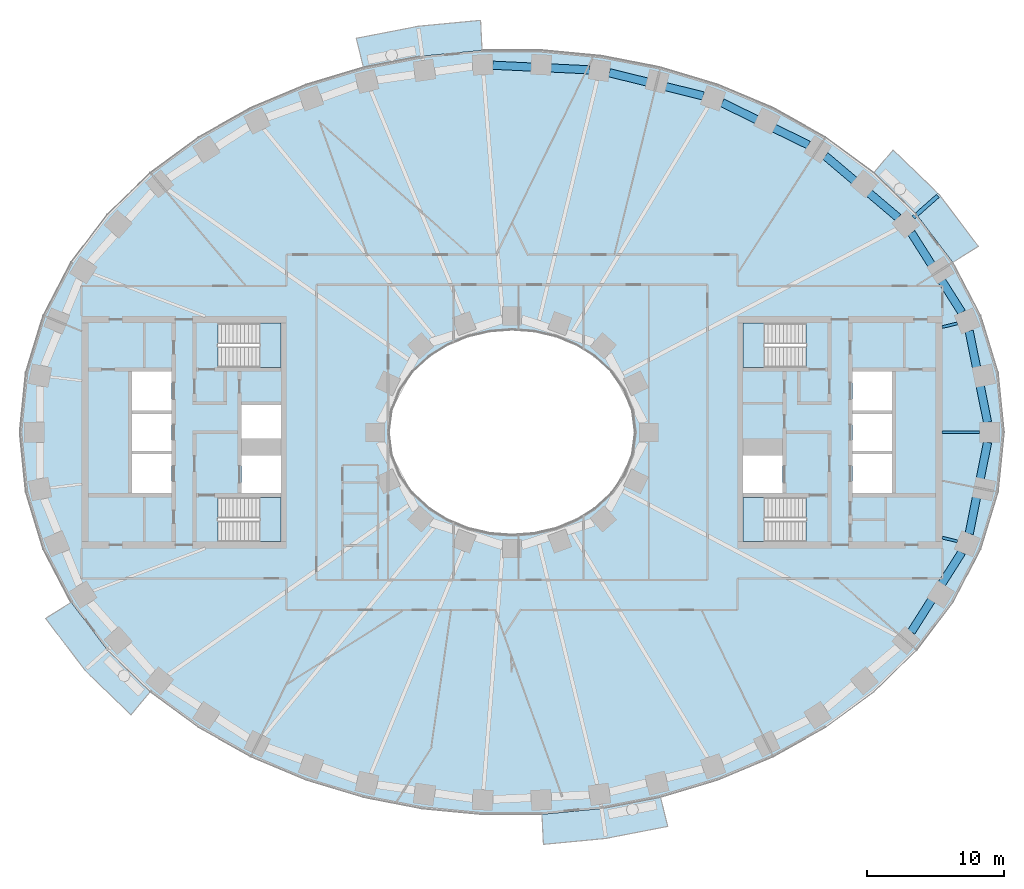
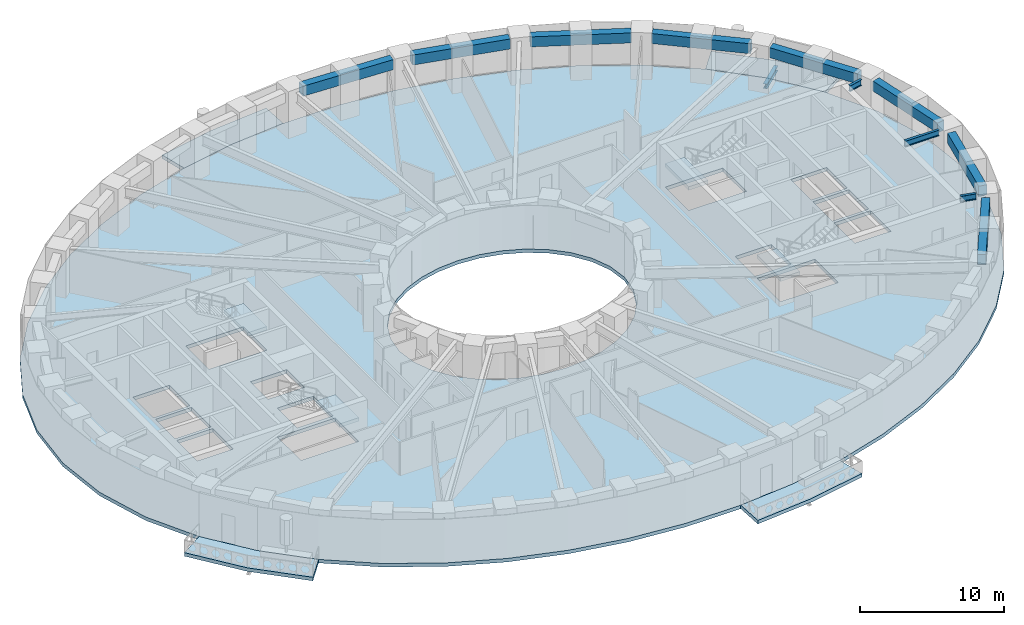
# One storey, part 2 of 16: 12 beams, 9 slabs, 4 elements without a shape of their own.
"""IFC4 building model written with IfcOpenShell, lengths in metres."""

from ifc_helpers import new_model, si_unit, direction, frame, origin, origin_2d, place, context, subcontext, project, spatial, polyline, rectangle, i_section, outline, extrude, material, layer, layer_set, material_profile, profile_set, type_object, element, aggregate, save


model = new_model("IFC4")

# Units and contexts
model_context = context("Model", 3, precision=1e-05, world=origin(), true_north=direction((0.0, 1.0)))
body_context = subcontext(model_context, "Body", "Model", "MODEL_VIEW")
ifc_project = project(units=[si_unit("LENGTHUNIT", "METRE"), si_unit("AREAUNIT", "SQUARE_METRE"), si_unit("VOLUMEUNIT", "CUBIC_METRE"), si_unit("PLANEANGLEUNIT", "RADIAN"), si_unit("MASSUNIT", "GRAM", prefix="KILO")], contexts=[model_context])

# Site, building, storey
site_placement = place(None, origin())
site = spatial("IfcSite", under=ifc_project, at=site_placement, CompositionType="ELEMENT")
building_placement = place(site_placement, origin())
building = spatial("IfcBuilding", under=site, at=building_placement, Name="Noorbagh Ring Tower", CompositionType="ELEMENT")
storey_placement = place(building_placement, frame((0.0, 0.0, 54.5)))
storey = spatial("IfcBuildingStorey", under=building, at=storey_placement, Name="L11", CompositionType="ELEMENT", Elevation=54.5)

# Beams
ifc_material_1 = material(Name="Steel S355", Category="steel")
ifc_material_profile_1 = material_profile(ifc_material_1, i_section(OverallWidth=0.300048828125, OverallDepth=0.39990234375, WebThickness=0.013427734375, FlangeThickness=0.02392578125, FilletRadius=0.027099609375, at=origin_2d()), Name="HEB400")
ifc_profile_set_1 = profile_set([ifc_material_profile_1], Name="Steel S355")
beam_type_1 = type_object("IfcBeamType", Name="STR-BALCONY-BRACKET-HEB400", PredefinedType="BEAM", material=ifc_profile_set_1)
beam_1_placement = place(storey_placement, frame((29.36572265625, 15.714111328125, -0.5), z_axis=(0.749031813993, 0.662534030542, 0.0), x_axis=(-0.662534030542, 0.749031813993, 0.0)))
element("IfcBeam", 1, at=beam_1_placement, inside=storey, type_object=beam_type_1, Name="Balcony bracket beam BN01", PredefinedType="BEAM", context=body_context, shape_type="SweptSolid", body=[
    extrude(i_section(OverallWidth=0.300048828125, OverallDepth=0.39990234375, WebThickness=0.013427734375, FlangeThickness=0.02392578125, FilletRadius=0.027099609375, at=origin_2d()), origin(), (0.0, 0.0, 1.0), 2.37939453125),
])
ifc_material_2 = material(Name="Steel S355", Category="steel")
ifc_material_profile_2 = material_profile(ifc_material_2, i_section(OverallWidth=0.199951171875, OverallDepth=0.5, WebThickness=0.01025390625, FlangeThickness=0.01611328125, FilletRadius=0.02099609375, at=origin_2d()), Name="IPE500")
ifc_profile_set_2 = profile_set([ifc_material_profile_2], Name="Steel S355")
beam_type_2 = type_object("IfcBeamType", Name="STR-RAD-IPE500", PredefinedType="BEAM", material=ifc_profile_set_2)
beam_2_placement = place(storey_placement, frame((34.214599609375, 0.0, 3.449951171875), z_axis=(-1.0, 0.0, 0.0), x_axis=(0.0, -1.0, 0.0)))
element("IfcBeam", 2, at=beam_2_placement, inside=storey, type_object=beam_type_2, Name="L11/bm/RD01", PredefinedType="BEAM", context=body_context, shape_type="SweptSolid", body=[
    extrude(i_section(OverallWidth=0.199951171875, OverallDepth=0.5, WebThickness=0.01025390625, FlangeThickness=0.01611328125, FilletRadius=0.02099609375, at=origin_2d()), origin(), (0.0, 0.0, 1.0), 2.734619140625),
])
for number, where, z_axis, x_axis, name in (
    (3, (32.587890625, 7.973876953125, 3.449951171875), (-0.971339703518, -0.237695562369, 0.0), (0.237695562369, -0.971339703518, 0.0), "L11/bm/RD03"),
    (4, (32.587890625, -7.973876953125, 3.449951171875), (-0.971339703518, 0.237695562369, 0.0), (-0.237695562369, -0.971339703518, 0.0), "L11/bm/RD45"),
):
    element("IfcBeam", number, at=place(storey_placement, frame(where, z_axis=z_axis, x_axis=x_axis)), inside=storey, type_object=beam_type_2, Name=name, PredefinedType="BEAM", context=body_context, shape_type="SweptSolid", body=[
        extrude(i_section(OverallWidth=0.199951171875, OverallDepth=0.5, WebThickness=0.01025390625, FlangeThickness=0.01611328125, FilletRadius=0.02099609375, at=origin_2d()), origin(), (0.0, 0.0, 1.0), 1.14013671875),
    ])
ifc_material_3 = material(Name="Concrete C40/50", Category="concrete")
ifc_material_profile_3 = material_profile(ifc_material_3, rectangle(XDim=0.60009765625, YDim=0.85009765625, at=origin_2d()), Name="RC600x850")
ifc_profile_set_3 = profile_set([ifc_material_profile_3], Name="Concrete C40/50")
beam_type_3 = type_object("IfcBeamType", Name="STR-SB-RC600x850-C40-50", PredefinedType="BEAM", material=ifc_profile_set_3)
beam_3_placement = place(storey_placement, frame((34.7978515625, 0.73046875, 3.27490234375), z_axis=(-0.197244389947, 0.980354349526, 0.0), x_axis=(-0.980354349526, -0.197244389947, 0.0)))
element("IfcBeam", 5, at=beam_3_placement, inside=storey, type_object=beam_type_3, Name="L11/bm/SP01", PredefinedType="BEAM", context=body_context, shape_type="SweptSolid", body=[
    extrude(rectangle(XDim=0.60009765625, YDim=0.85009765625, at=origin_2d()), origin(), (0.0, 0.0, 1.0), 6.82373046875),
])
beam_4_placement = place(storey_placement, frame((32.908203125, 8.77587890625, 3.27490234375), z_axis=(-0.535194304559, 0.844728983975, 0.0), x_axis=(-0.844728983975, -0.535194304559, 0.0)))
element("IfcBeam", 6, at=beam_4_placement, inside=storey, type_object=beam_type_3, Name="L11/bm/SP03", PredefinedType="BEAM", context=body_context, shape_type="SweptSolid", body=[
    extrude(rectangle(XDim=0.60009765625, YDim=0.85009765625, at=origin_2d()), origin(), (0.0, 0.0, 1.0), 6.9013671875),
])
beam_5_placement = place(storey_placement, frame((28.255859375, 15.707275390625, 3.27490234375), z_axis=(-0.763024386832, 0.646369696922, 0.0), x_axis=(-0.646369696922, -0.763024386832, 0.0)))
element("IfcBeam", 7, at=beam_5_placement, inside=storey, type_object=beam_type_3, Name="L11/bm/SP05", PredefinedType="BEAM", context=body_context, shape_type="SweptSolid", body=[
    extrude(rectangle(XDim=0.60009765625, YDim=0.85009765625, at=origin_2d()), origin(), (0.0, 0.0, 1.0), 6.988037109375),
])
beam_6_placement = place(storey_placement, frame((21.701416015625, 21.02294921875, 3.27490234375), z_axis=(-0.898409265653, 0.439159186843, 0.0), x_axis=(-0.439159186843, -0.898409265653, 0.0)))
element("IfcBeam", 8, at=beam_6_placement, inside=storey, type_object=beam_type_3, Name="L11/bm/SP07", PredefinedType="BEAM", context=body_context, shape_type="SweptSolid", body=[
    extrude(rectangle(XDim=0.60009765625, YDim=0.85009765625, at=origin_2d()), origin(), (0.0, 0.0, 1.0), 7.048095703125),
])
beam_7_placement = place(storey_placement, frame((13.996826171875, 24.616943359375, 3.27490234375), z_axis=(-0.970830070282, 0.23976858559, 0.0), x_axis=(-0.23976858559, -0.970830070282, 0.0)))
element("IfcBeam", 9, at=beam_7_placement, inside=storey, type_object=beam_type_3, Name="L11/bm/SP09", PredefinedType="BEAM", context=body_context, shape_type="SweptSolid", body=[
    extrude(rectangle(XDim=0.60009765625, YDim=0.85009765625, at=origin_2d()), origin(), (0.0, 0.0, 1.0), 7.081787109375),
])
beam_8_placement = place(storey_placement, frame((5.676513671875, 26.525634765625, 3.27490234375), z_axis=(-0.998868682603, 0.047553705583, 0.0), x_axis=(-0.047553705583, -0.998868682603, 0.0)))
element("IfcBeam", 10, at=beam_8_placement, inside=storey, type_object=beam_type_3, Name="L11/bm/SP11", PredefinedType="BEAM", context=body_context, shape_type="SweptSolid", body=[
    extrude(rectangle(XDim=0.60009765625, YDim=0.85009765625, at=origin_2d()), origin(), (0.0, 0.0, 1.0), 7.09521484375),
])
beam_9_placement = place(storey_placement, frame((29.214599609375, -14.605712890625, 3.27490234375), z_axis=(0.535194304559, 0.844728983975, 0.0), x_axis=(-0.844728983975, 0.535194304559, 0.0)))
element("IfcBeam", 11, at=beam_9_placement, inside=storey, type_object=beam_type_3, Name="L11/bm/SP43", PredefinedType="BEAM", context=body_context, shape_type="SweptSolid", body=[
    extrude(rectangle(XDim=0.60009765625, YDim=0.85009765625, at=origin_2d()), origin(), (0.0, 0.0, 1.0), 6.9013671875),
])
beam_10_placement = place(storey_placement, frame((33.451904296875, -7.420166015625, 3.27490234375), z_axis=(0.197244389947, 0.980354349526, 0.0), x_axis=(-0.980354349526, 0.197244389947, 0.0)))
element("IfcBeam", 12, at=beam_10_placement, inside=storey, type_object=beam_type_3, Name="L11/bm/SP45", PredefinedType="BEAM", context=body_context, shape_type="SweptSolid", body=[
    extrude(rectangle(XDim=0.60009765625, YDim=0.85009765625, at=origin_2d()), origin(), (0.0, 0.0, 1.0), 6.82373046875),
])

# Stair, slab
ifc_material_4 = material(Name="Concrete C40/50", Category="concrete")
stair_type = type_object("IfcStairType", Name="CORE-STAIR", PredefinedType="HALF_TURN_STAIR", material=ifc_material_4)
stair_1_placement = place(storey_placement, origin())
stair_1 = element("IfcStair", 13, at=stair_1_placement, inside=storey, type_object=stair_type, Name="L11 Exit stair ST1", PredefinedType="HALF_TURN_STAIR")
ifc_material_5 = material(Name="Concrete C40/50", Category="concrete")
ifc_layer_1 = layer(ifc_material_5, 0.300048828125)
ifc_layer_set_1 = layer_set([ifc_layer_1], Name="Concrete C40/50")
slab_type_1 = type_object("IfcSlabType", Name="CORE-STAIR-LANDING", PredefinedType="LANDING", material=ifc_layer_set_1)
slab_1_placement = place(storey_placement, frame((0.0, 0.0, 1.699951171875)))
slab_1 = element("IfcSlab", 14, at=slab_1_placement, type_object=slab_type_1, Name="ST1 landing 1", PredefinedType="LANDING", context=body_context, shape_type="SweptSolid", body=[
    extrude(outline(polyline([(-18.449951171875, 4.75), (-16.89990234375, 4.75), (-16.89990234375, 8.0), (-18.449951171875, 8.0), (-18.449951171875, 4.75)])), origin(), (0.0, 0.0, 1.0), 0.300048828125),
])
aggregate(stair_1, [slab_1])

stair_2_placement = place(storey_placement, origin())
stair_2 = element("IfcStair", 15, at=stair_2_placement, inside=storey, type_object=stair_type, Name="L11 Exit stair ST2", PredefinedType="HALF_TURN_STAIR")
slab_2_placement = place(storey_placement, frame((0.0, 0.0, 1.699951171875)))
slab_2 = element("IfcSlab", 16, at=slab_2_placement, type_object=slab_type_1, Name="ST2 landing 1", PredefinedType="LANDING", context=body_context, shape_type="SweptSolid", body=[
    extrude(outline(polyline([(-18.449951171875, -8.0), (-16.89990234375, -8.0), (-16.89990234375, -4.75), (-18.449951171875, -4.75), (-18.449951171875, -8.0)])), origin(), (0.0, 0.0, 1.0), 0.300048828125),
])
aggregate(stair_2, [slab_2])

stair_3_placement = place(storey_placement, origin())
stair_3 = element("IfcStair", 17, at=stair_3_placement, inside=storey, type_object=stair_type, Name="L11 Exit stair ST3", PredefinedType="HALF_TURN_STAIR")
slab_3_placement = place(storey_placement, frame((0.0, 0.0, 1.699951171875)))
slab_3 = element("IfcSlab", 18, at=slab_3_placement, type_object=slab_type_1, Name="ST3 landing 1", PredefinedType="LANDING", context=body_context, shape_type="SweptSolid", body=[
    extrude(outline(polyline([(18.449951171875, 8.0), (16.89990234375, 8.0), (16.89990234375, 4.75), (18.449951171875, 4.75), (18.449951171875, 8.0)])), origin(), (0.0, 0.0, 1.0), 0.300048828125),
])
aggregate(stair_3, [slab_3])

stair_4_placement = place(storey_placement, origin())
stair_4 = element("IfcStair", 19, at=stair_4_placement, inside=storey, type_object=stair_type, Name="L11 Exit stair ST4", PredefinedType="HALF_TURN_STAIR")
slab_4_placement = place(storey_placement, frame((0.0, 0.0, 1.699951171875)))
slab_4 = element("IfcSlab", 20, at=slab_4_placement, type_object=slab_type_1, Name="ST4 landing 1", PredefinedType="LANDING", context=body_context, shape_type="SweptSolid", body=[
    extrude(outline(polyline([(18.449951171875, -4.75), (16.89990234375, -4.75), (16.89990234375, -8.0), (18.449951171875, -8.0), (18.449951171875, -4.75)])), origin(), (0.0, 0.0, 1.0), 0.300048828125),
])
aggregate(stair_4, [slab_4])

# Slabs
ifc_material_6 = material(Name="Concrete C40/50", Category="concrete")
ifc_layer_2 = layer(ifc_material_6, 0.300048828125)
ifc_layer_set_2 = layer_set([ifc_layer_2], Name="Concrete C40/50")
slab_type_2 = type_object("IfcSlabType", Name="ENV-BALCONY DECK 300", PredefinedType="FLOOR", material=ifc_layer_set_2)
slab_5_placement = place(storey_placement, frame((0.0, 0.0, -0.300048828125)))
element("IfcSlab", 21, at=slab_5_placement, inside=storey, type_object=slab_type_2, Name="Tree balcony deck BN01", PredefinedType="FLOOR", context=body_context, shape_type="SweptSolid", body=[
    extrude(outline(polyline([(34.120361328125, 13.615966796875), (31.26025390625, 17.389892578125), (27.888671875, 20.665771484375), (26.463134765625, 18.983154296875), (29.607666015625, 15.92822265625), (32.255126953125, 12.434814453125), (34.120361328125, 13.615966796875)])), origin(), (0.0, 0.0, 1.0), 0.300048828125),
])
slab_6_placement = place(storey_placement, frame((0.0, 0.0, -0.300048828125)))
element("IfcSlab", 22, at=slab_6_placement, inside=storey, type_object=slab_type_2, Name="Tree balcony deck BN04", PredefinedType="FLOOR", context=body_context, shape_type="SweptSolid", body=[
    extrude(outline(polyline([(-2.2978515625, 30.14794921875), (-6.874755859375, 29.711181640625), (-11.3935546875, 28.832763671875), (-10.865234375, 26.6943359375), (-6.5595703125, 27.53125), (-2.193115234375, 27.947998046875), (-2.2978515625, 30.14794921875)])), origin(), (0.0, 0.0, 1.0), 0.300048828125),
])
slab_7_placement = place(storey_placement, frame((0.0, 0.0, -0.300048828125)))
element("IfcSlab", 23, at=slab_7_placement, inside=storey, type_object=slab_type_2, Name="Tree balcony deck BS01", PredefinedType="FLOOR", context=body_context, shape_type="SweptSolid", body=[
    extrude(outline(polyline([(-34.120361328125, -13.615966796875), (-31.26025390625, -17.389892578125), (-27.888671875, -20.665771484375), (-26.463134765625, -18.983154296875), (-29.607666015625, -15.92822265625), (-32.255126953125, -12.434814453125), (-34.120361328125, -13.615966796875)])), origin(), (0.0, 0.0, 1.0), 0.300048828125),
])
slab_8_placement = place(storey_placement, frame((0.0, 0.0, -0.300048828125)))
element("IfcSlab", 24, at=slab_8_placement, inside=storey, type_object=slab_type_2, Name="Tree balcony deck BS04", PredefinedType="FLOOR", context=body_context, shape_type="SweptSolid", body=[
    extrude(outline(polyline([(2.2978515625, -30.14794921875), (6.874755859375, -29.711181640625), (11.3935546875, -28.832763671875), (10.865234375, -26.6943359375), (6.5595703125, -27.53125), (2.193115234375, -27.947998046875), (2.2978515625, -30.14794921875)])), origin(), (0.0, 0.0, 1.0), 0.300048828125),
])
ifc_material_7 = material(Name="Concrete C40/50", Category="concrete")
ifc_layer_3 = layer(ifc_material_7, 0.300048828125)
ifc_layer_set_3 = layer_set([ifc_layer_3], Name="Concrete C40/50")
slab_type_3 = type_object("IfcSlabType", Name="STR-FLOOR-DECK-300", PredefinedType="FLOOR", material=ifc_layer_set_3)
slab_9_placement = place(storey_placement, frame((0.0, 0.0, -0.300048828125)))
element("IfcSlab", 25, at=slab_9_placement, inside=storey, type_object=slab_type_3, Name="L11/slab/1", PredefinedType="FLOOR", context=body_context, shape_type="SweptSolid", body=[
    extrude(outline(polyline([(36.0, 0.0), (35.56103515625, 4.358642578125), (34.281005859375, 8.548828125), (32.255126953125, 12.434814453125), (29.607666015625, 15.92822265625), (26.463134765625, 18.983154296875), (22.9326171875, 21.583740234375), (19.108154296875, 23.730224609375), (15.0654296875, 25.430419921875), (10.865234375, 26.6943359375), (6.5595703125, 27.53125), (2.193115234375, 27.947998046875), (-2.193115234375, 27.947998046875), (-6.5595703125, 27.53125), (-10.865234375, 26.6943359375), (-15.0654296875, 25.430419921875), (-19.108154296875, 23.730224609375), (-22.9326171875, 21.583740234375), (-26.463134765625, 18.983154296875), (-29.607666015625, 15.92822265625), (-32.255126953125, 12.434814453125), (-34.281005859375, 8.548828125), (-35.56103515625, 4.358642578125), (-36.0, 0.0), (-35.56103515625, -4.358642578125), (-34.281005859375, -8.548828125), (-32.255126953125, -12.434814453125), (-29.607666015625, -15.92822265625), (-26.463134765625, -18.983154296875), (-22.9326171875, -21.583740234375), (-19.108154296875, -23.730224609375), (-15.0654296875, -25.430419921875), (-10.865234375, -26.6943359375), (-6.5595703125, -27.53125), (-2.193115234375, -27.947998046875), (2.193115234375, -27.947998046875), (6.5595703125, -27.53125), (10.865234375, -26.6943359375), (15.0654296875, -25.430419921875), (19.108154296875, -23.730224609375), (22.9326171875, -21.583740234375), (26.463134765625, -18.983154296875), (29.607666015625, -15.92822265625), (32.255126953125, -12.434814453125), (34.281005859375, -8.548828125), (35.56103515625, -4.358642578125), (36.0, 0.0)]), holes=[polyline([(24.89990234375, -1.60009765625), (27.800048828125, -1.60009765625), (27.800048828125, -4.449951171875), (24.89990234375, -4.449951171875), (24.89990234375, -1.60009765625)]), polyline([(24.89990234375, 1.35009765625), (27.800048828125, 1.35009765625), (27.800048828125, -1.35009765625), (24.89990234375, -1.35009765625), (24.89990234375, 1.35009765625)]), polyline([(24.89990234375, 4.449951171875), (27.800048828125, 4.449951171875), (27.800048828125, 1.60009765625), (24.89990234375, 1.60009765625), (24.89990234375, 4.449951171875)]), polyline([(21.529541015625, -4.75), (21.529541015625, -8.0), (16.89990234375, -8.0), (16.89990234375, -4.75), (21.529541015625, -4.75)]), polyline([(21.529541015625, 4.75), (16.89990234375, 4.75), (16.89990234375, 8.0), (21.529541015625, 8.0), (21.529541015625, 4.75)]), polyline([(16.89990234375, -1.699951171875), (19.800048828125, -1.699951171875), (19.800048828125, -4.449951171875), (16.89990234375, -4.449951171875), (16.89990234375, -1.699951171875)]), polyline([(4.697509765625, -6.3974609375), (3.196533203125, -7.010986328125), (1.6171875, -7.3779296875), (0.0, -7.5), (-1.6171875, -7.3779296875), (-3.196533203125, -7.010986328125), (-4.697509765625, -6.3974609375), (-6.071044921875, -5.53662109375), (-7.2587890625, -4.43408203125), (-8.1904296875, -3.10888671875), (-8.79150390625, -1.605224609375), (-9.0, 0.0), (-8.79150390625, 1.605224609375), (-8.1904296875, 3.10888671875), (-7.2587890625, 4.43408203125), (-6.071044921875, 5.53662109375), (-4.697509765625, 6.3974609375), (-3.196533203125, 7.010986328125), (-1.6171875, 7.3779296875), (0.0, 7.5), (1.6171875, 7.3779296875), (3.196533203125, 7.010986328125), (4.697509765625, 6.3974609375), (6.071044921875, 5.53662109375), (7.2587890625, 4.43408203125), (8.1904296875, 3.10888671875), (8.79150390625, 1.605224609375), (9.0, 0.0), (8.79150390625, -1.605224609375), (8.1904296875, -3.10888671875), (7.2587890625, -4.43408203125), (6.071044921875, -5.53662109375), (4.697509765625, -6.3974609375)]), polyline([(-21.529541015625, -8.0), (-21.529541015625, -4.75), (-16.89990234375, -4.75), (-16.89990234375, -8.0), (-21.529541015625, -8.0)]), polyline([(-21.529541015625, 8.0), (-16.89990234375, 8.0), (-16.89990234375, 4.75), (-21.529541015625, 4.75), (-21.529541015625, 8.0)]), polyline([(-16.89990234375, -4.449951171875), (-19.800048828125, -4.449951171875), (-19.800048828125, -1.699951171875), (-16.89990234375, -1.699951171875), (-16.89990234375, -4.449951171875)]), polyline([(-16.89990234375, -0.449951171875), (-19.800048828125, -0.449951171875), (-19.800048828125, 2.0), (-16.89990234375, 2.0), (-16.89990234375, -0.449951171875)]), polyline([(-24.89990234375, -4.449951171875), (-27.800048828125, -4.449951171875), (-27.800048828125, -1.60009765625), (-24.89990234375, -1.60009765625), (-24.89990234375, -4.449951171875)]), polyline([(-24.89990234375, -1.35009765625), (-27.800048828125, -1.35009765625), (-27.800048828125, 1.35009765625), (-24.89990234375, 1.35009765625), (-24.89990234375, -1.35009765625)]), polyline([(-24.89990234375, 1.60009765625), (-27.800048828125, 1.60009765625), (-27.800048828125, 4.449951171875), (-24.89990234375, 4.449951171875), (-24.89990234375, 1.60009765625)])]), origin(), (0.0, 0.0, 1.0), 0.300048828125),
])

save(model, "model.ifc")
